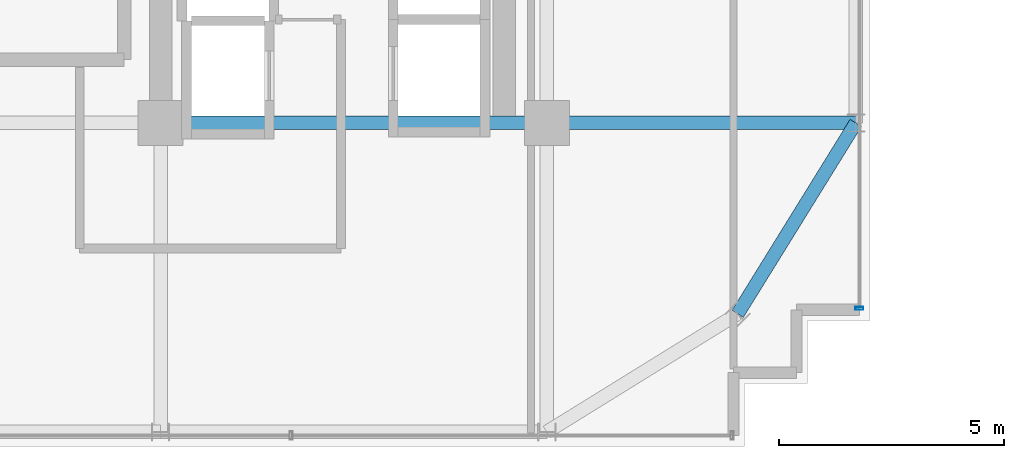
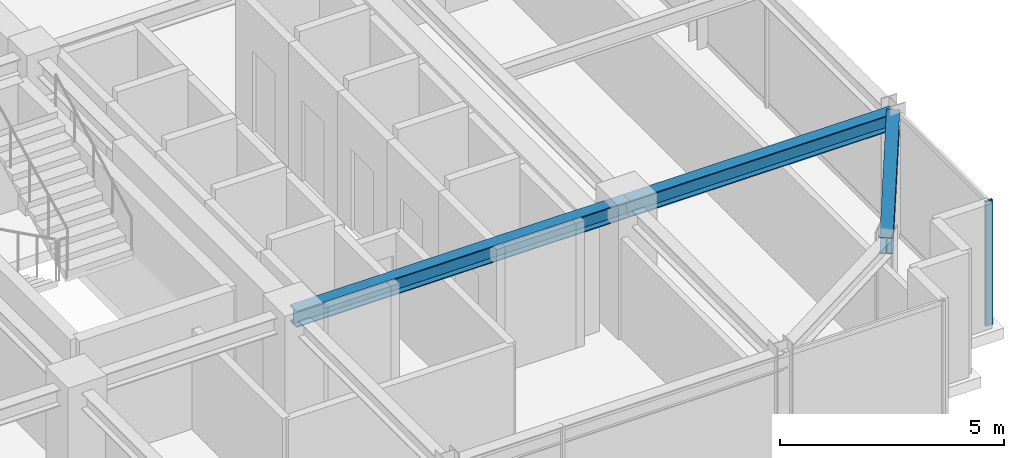
# One storey, part 13 of 34: 3 beams, 1 member, 1 element without a shape of its own.
"""IFC4 building model written with IfcOpenShell, lengths in metres."""

from ifc_helpers import new_model, si_unit, direction, frame, origin, origin_2d, place, context, subcontext, project, spatial, hollow_rectangle, i_section, extrude, source, transform, mapped, material, material_profile, profile_set, type_object, element, aggregate, save


model = new_model("IFC4")

# Units and contexts
model_context = context("Model", 3, precision=1e-05, world=origin(), true_north=direction((0.0, 1.0)))
body_context = subcontext(model_context, "Body", "Model", "MODEL_VIEW")
ifc_project = project(units=[si_unit("LENGTHUNIT", "METRE"), si_unit("AREAUNIT", "SQUARE_METRE"), si_unit("VOLUMEUNIT", "CUBIC_METRE"), si_unit("PLANEANGLEUNIT", "RADIAN"), si_unit("MASSUNIT", "GRAM", prefix="KILO")], contexts=[model_context])

# Site, building, storey
site_placement = place(None, origin())
site = spatial("IfcSite", under=ifc_project, at=site_placement, CompositionType="ELEMENT")
building_placement = place(site_placement, origin())
building = spatial("IfcBuilding", under=site, at=building_placement, Name="Nahalor Promenade Grand Hotel", CompositionType="ELEMENT")
storey_placement = place(building_placement, frame((0.0, 0.0, 238.199951171875)))
storey = spatial("IfcBuildingStorey", under=building, at=storey_placement, Name="L61", CompositionType="ELEMENT", Elevation=238.199951171875)

# Beams
ifc_material_1 = material(Name="Steel S355JR", Category="steel")
ifc_material_profile_1 = material_profile(ifc_material_1, i_section(OverallWidth=0.3, OverallDepth=0.45, WebThickness=0.014, FlangeThickness=0.026, at=origin_2d()), Name="HEB 450")
ifc_profile_set_1 = profile_set([ifc_material_profile_1], Name="Steel S355JR")
beam_type_1 = type_object("IfcBeamType", Name="Beam-Spandrel-HEB450", PredefinedType="SPANDREL", material=ifc_profile_set_1)
shared_shape_1 = source(origin(), body_context, "Body", "SweptSolid", [
    extrude(i_section(OverallWidth=0.3, OverallDepth=0.45, WebThickness=0.014, FlangeThickness=0.026, at=origin_2d()), origin(), (0.0, 0.0, 1.0), 4.997802734375),
])
beam_1_placement = place(storey_placement, frame((21.25, -21.25, 3.18505859375), z_axis=(0.526199891161, 0.850360908404, 0.0), x_axis=(-0.850360908404, 0.526199891161, 0.0)))
element("IfcBeam", 1, at=beam_1_placement, inside=storey, type_object=beam_type_1, Name="BM-L61-SPC-SE-2", PredefinedType="SPANDREL", context=body_context, shape_type="MappedRepresentation", body=[
    mapped(shared_shape_1, transform((0.0, 0.0, 0.0), scale=1.0)),
])
ifc_material_profile_2 = material_profile(ifc_material_1, i_section(OverallWidth=0.3, OverallDepth=0.45, WebThickness=0.014, FlangeThickness=0.026, at=origin_2d()), Name="HEB 450")
ifc_profile_set_2 = profile_set([ifc_material_profile_2], Name="Steel S355JR")
beam_type_2 = type_object("IfcBeamType", Name="Beam-Girder-HEB450", PredefinedType="BEAM", material=ifc_profile_set_2)
shared_shape_2 = source(origin(), body_context, "Body", "SweptSolid", [
    extrude(i_section(OverallWidth=0.3, OverallDepth=0.45, WebThickness=0.014, FlangeThickness=0.026, at=origin_2d()), origin(), (0.0, 0.0, 1.0), 6.8798828125),
])
beam_2_placement = place(storey_placement, frame((17.0, -17.0, 3.18505859375), z_axis=(1.0, 0.0, 0.0), x_axis=(0.0, 1.0, 0.0)))
element("IfcBeam", 2, at=beam_2_placement, inside=storey, type_object=beam_type_2, Name="BM-L61-GX-0-6", PredefinedType="BEAM", context=body_context, shape_type="MappedRepresentation", body=[
    mapped(shared_shape_2, transform((0.0, 0.0, 0.0), scale=1.0)),
])
shared_shape_3 = source(origin(), body_context, "Body", "SweptSolid", [
    extrude(i_section(OverallWidth=0.3, OverallDepth=0.45, WebThickness=0.014, FlangeThickness=0.026, at=origin_2d()), origin(), (0.0, 0.0, 1.0), 8.60009765625),
])
beam_3_placement = place(storey_placement, frame((8.39990234375, -17.0, 3.18505859375), z_axis=(1.0, 0.0, 0.0), x_axis=(0.0, 1.0, 0.0)))
element("IfcBeam", 3, at=beam_3_placement, inside=storey, type_object=beam_type_2, Name="BM-L61-GX-0-5", PredefinedType="BEAM", context=body_context, shape_type="MappedRepresentation", body=[
    mapped(shared_shape_3, transform((0.0, 0.0, 0.0), scale=1.0)),
])

# Curtain wall, member
ifc_material_2 = material(Name="Anodised Bronze Aluminium EN AW-6063 T6", Category="aluminium")
curtain_wall_type = type_object("IfcCurtainWallType", Name="CW2 Typical Hotel Flush Bronze Unitised Curtain Wall", PredefinedType="USERDEFINED", material=ifc_material_2)
curtain_wall_placement = place(storey_placement, origin())
curtain_wall = element("IfcCurtainWall", 4, at=curtain_wall_placement, inside=storey, type_object=curtain_wall_type, Name="L61 Curtain Wall CW-L61-E-1", ObjectType="UNITISED_CURTAIN_WALL", PredefinedType="USERDEFINED")
ifc_material_profile_3 = material_profile(ifc_material_2, hollow_rectangle(XDim=0.065, YDim=0.18, WallThickness=0.004, at=origin_2d()), Name="CWM 65x180x4")
ifc_profile_set_3 = profile_set([ifc_material_profile_3], Name="Anodised Bronze Aluminium EN AW-6063 T6")
member_type = type_object("IfcMemberType", Name="CWM2 Typical Bronze Mullion 65x180", PredefinedType="MULLION", material=ifc_profile_set_3)
shared_shape_4 = source(origin(), body_context, "Body", "SweptSolid", [
    extrude(hollow_rectangle(XDim=0.065, YDim=0.18, WallThickness=0.004, at=origin_2d()), origin(), (0.0, 0.0, 1.0), 3.41015625),
])
member_placement = place(storey_placement, frame((23.9599609375, -21.12744140625, 0.0), z_axis=(0.0, 0.0, 1.0), x_axis=(0.0, 1.0, 0.0)))
member = element("IfcMember", 5, at=member_placement, type_object=member_type, Name="CW-L61-E-1 Mullion 0", PredefinedType="MULLION", context=body_context, shape_type="MappedRepresentation", body=[
    mapped(shared_shape_4, transform((0.0, 0.0, 0.0), scale=1.0)),
])
aggregate(curtain_wall, [member])

save(model, "model.ifc")
